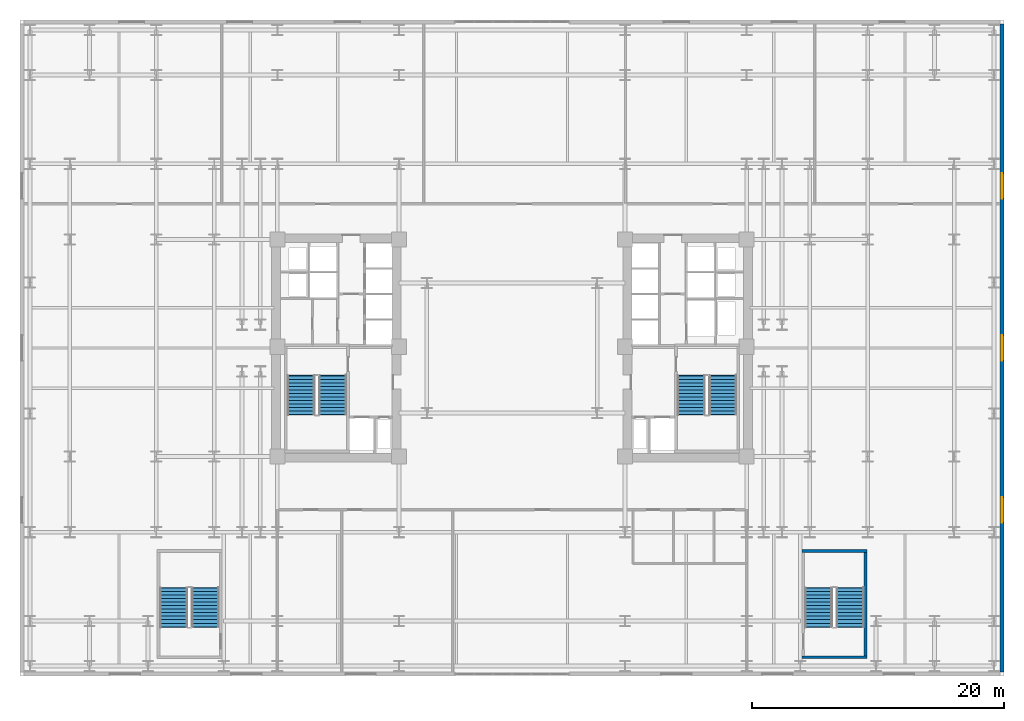
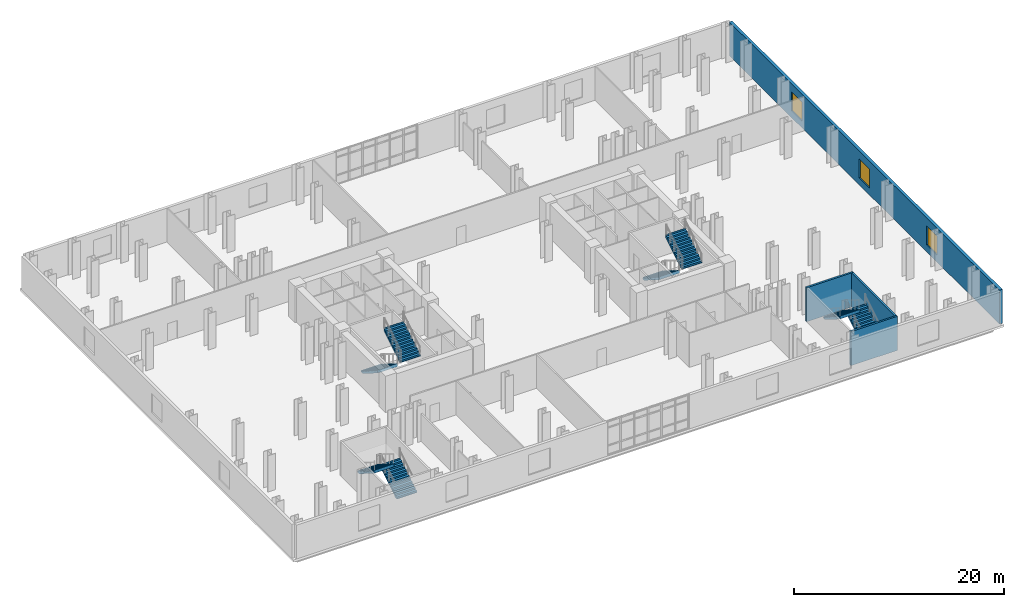
# One storey, part 11 of 13: 8 stair flights, 4 walls, 3 windows, 3 openings, 4 elements without a shape of their own.
"""IFC4 building model written with IfcOpenShell, lengths in metres."""

from ifc_helpers import new_model, si_unit, direction, frame, frame_2d, origin, place, context, subcontext, project, spatial, polyline, rectangle, outline, extrude, material, layer, layer_set, type_object, element, fill, aggregate, save


model = new_model("IFC4")

# Units and contexts
model_context = context("Model", 3, precision=1e-05, world=origin(), true_north=direction((0.0, 1.0)))
body_context = subcontext(model_context, "Body", "Model", "MODEL_VIEW")
ifc_project = project(units=[si_unit("LENGTHUNIT", "METRE"), si_unit("AREAUNIT", "SQUARE_METRE"), si_unit("VOLUMEUNIT", "CUBIC_METRE"), si_unit("PLANEANGLEUNIT", "RADIAN"), si_unit("MASSUNIT", "GRAM", prefix="KILO")], contexts=[model_context])

# Site, building, storey
site_placement = place(None, origin())
site = spatial("IfcSite", under=ifc_project, at=site_placement, CompositionType="ELEMENT")
building_placement = place(site_placement, origin())
building = spatial("IfcBuilding", under=site, at=building_placement, Name="Velakula Bourse", CompositionType="ELEMENT")
storey_placement = place(building_placement, frame((0.0, 0.0, 18.60009765625)))
storey = spatial("IfcBuildingStorey", under=building, at=storey_placement, Name="L04", CompositionType="ELEMENT", Elevation=18.60009765625)

# Walls
ifc_material_1 = material(Name="Concrete M50 (fck 50 MPa)", Category="concrete")
ifc_layer_1 = layer(ifc_material_1, 0.2099609375, Name="Concrete M50 (fck 50 MPa)", Category="concrete")
ifc_layer_set_1 = layer_set([ifc_layer_1], Name="Concrete M50 (fck 50 MPa)")
wall_type_1 = type_object("IfcWallType", Name="WL-CORE-210", PredefinedType="SHEAR", material=ifc_layer_set_1)
for number, where, z_axis, x_axis, name in (
    (1, (22.989990234375, -24.5048828125, 0.0), (0.0, 0.0, 1.0), (1.0, 0.0, 0.0), "L04 Podium Stair ST-P2 Shear Wall S"),
    (2, (22.989990234375, -16.094970703125, 0.0), (0.0, 0.0, 1.0), (1.0, 0.0, 0.0), "L04 Podium Stair ST-P2 Shear Wall N"),
):
    element("IfcWall", number, at=place(storey_placement, frame(where, z_axis=z_axis, x_axis=x_axis)), inside=storey, type_object=wall_type_1, Name=name, PredefinedType="SHEAR", context=body_context, shape_type="SweptSolid", body=[
        extrude(rectangle(XDim=5.139892578125, YDim=0.2099609375, at=frame_2d((2.56982421875, 0.0))), origin(), (0.0, 0.0, 1.0), 3.949951171875),
    ])
wall_1_placement = place(storey_placement, frame((28.02490234375, -24.39990234375, 0.0), z_axis=(0.0, 0.0, 1.0), x_axis=(0.0, 1.0, 0.0)))
element("IfcWall", 3, at=wall_1_placement, inside=storey, type_object=wall_type_1, Name="L04 Podium Stair ST-P2 Shear Wall E", PredefinedType="SHEAR", context=body_context, shape_type="SweptSolid", body=[
    extrude(rectangle(XDim=8.199951171875, YDim=0.2099609375, at=frame_2d((4.10009765625, 0.0))), origin(), (0.0, 0.0, 1.0), 3.949951171875),
])

# Wall, openings, windows
ifc_material_2 = material(Name="Red kilned clay facing brick masonry", Category="masonry")
ifc_layer_2 = layer(ifc_material_2, 0.320068359375, Name="Red kilned clay facing brick masonry", Category="masonry")
ifc_layer_set_2 = layer_set([ifc_layer_2], Name="Red kilned clay facing brick masonry")
wall_type_2 = type_object("IfcWallType", Name="WL-EXT-BRK-320", PredefinedType="STANDARD", material=ifc_layer_set_2)
wall_2_placement = place(storey_placement, frame((38.840087890625, 25.679931640625, 0.0), z_axis=(0.0, 0.0, 1.0), x_axis=(0.0, -1.0, 0.0)))
wall_2 = element("IfcWall", 4, at=wall_2_placement, inside=storey, type_object=wall_type_2, Name="L04 E Brick Facade Wall", PredefinedType="STANDARD", context=body_context, shape_type="SweptSolid", body=[
    extrude(rectangle(XDim=51.35986328125, YDim=0.320068359375, at=frame_2d((25.679931640625, 0.0))), origin(), (0.0, 0.0, 1.0), 3.929931640625),
])
opening_1_placement = place(wall_2_placement, frame((11.840087890625, 0.0, 0.800048828125)))
opening_1 = element("IfcOpeningElement", 5, at=opening_1_placement, cuts=wall_2, Name="Opening W-07", PredefinedType="OPENING", context=body_context, shape_type="SweptSolid", body=[
    extrude(rectangle(XDim=2.0, YDim=2.199951171875, at=frame_2d((1.0, 1.10009765625))), frame((0.0, 0.169921875, 0.0), z_axis=(0.0, -1.0, 0.0), x_axis=(1.0, 0.0, 0.0)), (0.0, 0.0, 1.0), 0.340087890625),
])
opening_2_placement = place(wall_2_placement, frame((24.679931640625, 0.0, 0.800048828125)))
opening_2 = element("IfcOpeningElement", 6, at=opening_2_placement, cuts=wall_2, Name="Opening W-07", PredefinedType="OPENING", context=body_context, shape_type="SweptSolid", body=[
    extrude(rectangle(XDim=2.0, YDim=2.199951171875, at=frame_2d((1.0, 1.10009765625))), frame((0.0, 0.169921875, 0.0), z_axis=(0.0, -1.0, 0.0), x_axis=(1.0, 0.0, 0.0)), (0.0, 0.0, 1.0), 0.340087890625),
])
opening_3_placement = place(wall_2_placement, frame((37.52001953125, 0.0, 0.800048828125)))
opening_3 = element("IfcOpeningElement", 7, at=opening_3_placement, cuts=wall_2, Name="Opening W-07", PredefinedType="OPENING", context=body_context, shape_type="SweptSolid", body=[
    extrude(rectangle(XDim=2.0, YDim=2.199951171875, at=frame_2d((1.0, 1.10009765625))), frame((0.0, 0.169921875, 0.0), z_axis=(0.0, -1.0, 0.0), x_axis=(1.0, 0.0, 0.0)), (0.0, 0.0, 1.0), 0.340087890625),
])
ifc_material_3 = material(Name="Double-glazed solar-control Low-E glass", Category="glass")
window_type = type_object("IfcWindowType", Name="WIN-POD-2000x2400", PartitioningType="DOUBLE_PANEL_VERTICAL", PredefinedType="WINDOW", material=ifc_material_3)
window_1_placement = place(opening_1_placement, origin())
window_1 = element("IfcWindow", 8, at=window_1_placement, inside=storey, type_object=window_type, Name="L04 Deep-Set Recessed Window 1", OverallHeight=2.199951171875, OverallWidth=2.0, PartitioningType="DOUBLE_PANEL_VERTICAL", PredefinedType="WINDOW", context=body_context, shape_type="SweptSolid", body=[
    extrude(rectangle(XDim=2.0, YDim=2.199951171875, at=frame_2d((1.0, 1.10009765625))), frame((0.0, 0.030029296875, 0.0), z_axis=(0.0, -1.0, 0.0), x_axis=(1.0, 0.0, 0.0)), (0.0, 0.0, 1.0), 0.06005859375),
])
fill(opening_1, window_1)
window_2_placement = place(opening_2_placement, origin())
window_2 = element("IfcWindow", 9, at=window_2_placement, inside=storey, type_object=window_type, Name="L04 Deep-Set Recessed Window 2", OverallHeight=2.199951171875, OverallWidth=2.0, PartitioningType="DOUBLE_PANEL_VERTICAL", PredefinedType="WINDOW", context=body_context, shape_type="SweptSolid", body=[
    extrude(rectangle(XDim=2.0, YDim=2.199951171875, at=frame_2d((1.0, 1.10009765625))), frame((0.0, 0.030029296875, 0.0), z_axis=(0.0, -1.0, 0.0), x_axis=(1.0, 0.0, 0.0)), (0.0, 0.0, 1.0), 0.06005859375),
])
fill(opening_2, window_2)
window_3_placement = place(opening_3_placement, origin())
window_3 = element("IfcWindow", 10, at=window_3_placement, inside=storey, type_object=window_type, Name="L04 Deep-Set Recessed Window 3", OverallHeight=2.199951171875, OverallWidth=2.0, PartitioningType="DOUBLE_PANEL_VERTICAL", PredefinedType="WINDOW", context=body_context, shape_type="SweptSolid", body=[
    extrude(rectangle(XDim=2.0, YDim=2.199951171875, at=frame_2d((1.0, 1.10009765625))), frame((0.0, 0.030029296875, 0.0), z_axis=(0.0, -1.0, 0.0), x_axis=(1.0, 0.0, 0.0)), (0.0, 0.0, 1.0), 0.06005859375),
])
fill(opening_3, window_3)

# Stair, stair flights
ifc_material_4 = material(Name="Concrete M45 (fck 45 MPa)", Category="concrete")
stair_type = type_object("IfcStairType", Name="STR-DOG-435", PredefinedType="HALF_TURN_STAIR", material=ifc_material_4)
stair_1_placement = place(storey_placement, origin())
stair_1 = element("IfcStair", 11, at=stair_1_placement, inside=storey, type_object=stair_type, Name="L04 West Core Exit Stair ST-W1", PredefinedType="HALF_TURN_STAIR")
ifc_layer_3 = layer(ifc_material_4, 0.199951171875, Name="Concrete M45 (fck 45 MPa)", Category="concrete")
ifc_layer_set_3 = layer_set([ifc_layer_3], Name="Concrete M45 (fck 45 MPa)")
stair_flight_type = type_object("IfcStairFlightType", Name="FLT-DOG-435", PredefinedType="STRAIGHT", material=ifc_layer_set_3)
stair_flight_1_placement = place(storey_placement, frame((-16.720947265625, -2.199951171875, 0.0), z_axis=(0.0, 0.0, 1.0), x_axis=(0.0, -1.0, 0.0)))
stair_flight_1 = element("IfcStairFlight", 12, at=stair_flight_1_placement, type_object=stair_flight_type, Name="ST-W1 flight 1", NumberOfRisers=12, NumberOfTreads=11, PredefinedType="STRAIGHT", RiserHeight=0.175, TreadLength=0.28, context=body_context, shape_type="SweptSolid", body=[
    extrude(outline(polyline([(-0.044921875, -0.0400390625), (-0.044921875, -0.036865234375), (-0.044921875, -0.033935546875), (-0.044921875, -0.03076171875), (-0.044921875, -0.027587890625), (-0.044921875, -0.024658203125), (-0.044921875, -0.021484375), (-0.044921875, -0.0185546875), (-0.044921875, -0.015380859375), (-0.044921875, -0.01220703125), (-0.044921875, -0.00927734375), (-0.044921875, -0.006103515625), (-0.044921875, -0.003173828125), (-0.044921875, 0.0), (0.0, 0.0), (0.0, 0.175048828125), (0.280029296875, 0.175048828125), (0.280029296875, 0.35009765625), (0.56005859375, 0.35009765625), (0.56005859375, 0.52490234375), (0.840087890625, 0.52490234375), (0.840087890625, 0.699951171875), (1.1201171875, 0.699951171875), (1.1201171875, 0.875), (1.39990234375, 0.875), (1.39990234375, 1.050048828125), (1.679931640625, 1.050048828125), (1.679931640625, 1.22509765625), (1.9599609375, 1.22509765625), (1.9599609375, 1.39990234375), (2.239990234375, 1.39990234375), (2.239990234375, 1.574951171875), (2.52001953125, 1.574951171875), (2.52001953125, 1.75), (2.800048828125, 1.75), (2.800048828125, 1.925048828125), (3.080078125, 1.925048828125), (3.080078125, 2.10009765625), (3.125, 2.10009765625), (3.125, 2.074951171875), (3.125, 2.0498046875), (3.125, 2.024658203125), (3.125, 1.99951171875), (3.125, 1.974365234375), (3.125, 1.94921875), (3.125, 1.924072265625), (3.125, 1.89892578125), (3.125, 1.873779296875), (3.125, 1.8486328125), (3.125, 1.823486328125), (3.125, 1.798583984375), (3.125, 1.7734375), (3.125, 1.748291015625), (0.28271484375, -0.0400390625), (-0.044921875, -0.0400390625)])), frame((0.0, 1.09912109375, 0.0), z_axis=(0.0, -1.0, 0.0), x_axis=(1.0, 0.0, 0.0)), (0.0, 0.0, 1.0), 2.197998046875),
])
stair_flight_2_placement = place(storey_placement, frame((-14.198974609375, -5.280029296875, 2.099853515625), z_axis=(0.0, 0.0, 1.0), x_axis=(0.0, 1.0, 0.0)))
stair_flight_2 = element("IfcStairFlight", 13, at=stair_flight_2_placement, type_object=stair_flight_type, Name="ST-W1 flight 2", NumberOfRisers=12, NumberOfTreads=11, PredefinedType="STRAIGHT", RiserHeight=0.175, TreadLength=0.28, context=body_context, shape_type="SweptSolid", body=[
    extrude(outline(polyline([(-0.044921875, -0.0400390625), (-0.044921875, -0.036865234375), (-0.044921875, -0.033935546875), (-0.044921875, -0.03076171875), (-0.044921875, -0.027587890625), (-0.044921875, -0.024658203125), (-0.044921875, -0.021484375), (-0.044921875, -0.0185546875), (-0.044921875, -0.015380859375), (-0.044921875, -0.01220703125), (-0.044921875, -0.00927734375), (-0.044921875, -0.006103515625), (-0.044921875, -0.003173828125), (-0.044921875, 0.0), (0.0, 0.0), (0.0, 0.175048828125), (0.280029296875, 0.175048828125), (0.280029296875, 0.35009765625), (0.56005859375, 0.35009765625), (0.56005859375, 0.52490234375), (0.840087890625, 0.52490234375), (0.840087890625, 0.699951171875), (1.1201171875, 0.699951171875), (1.1201171875, 0.875), (1.39990234375, 0.875), (1.39990234375, 1.050048828125), (1.679931640625, 1.050048828125), (1.679931640625, 1.22509765625), (1.9599609375, 1.22509765625), (1.9599609375, 1.39990234375), (2.239990234375, 1.39990234375), (2.239990234375, 1.574951171875), (2.52001953125, 1.574951171875), (2.52001953125, 1.75), (2.800048828125, 1.75), (2.800048828125, 1.925048828125), (3.080078125, 1.925048828125), (3.080078125, 2.10009765625), (3.125, 2.10009765625), (3.125, 2.074951171875), (3.125, 2.0498046875), (3.125, 2.024658203125), (3.125, 1.99951171875), (3.125, 1.974365234375), (3.125, 1.94921875), (3.125, 1.924072265625), (3.125, 1.89892578125), (3.125, 1.873779296875), (3.125, 1.8486328125), (3.125, 1.823486328125), (3.125, 1.798583984375), (3.125, 1.7734375), (3.125, 1.748291015625), (0.28271484375, -0.0400390625), (-0.044921875, -0.0400390625)])), frame((0.0, 1.09912109375, 0.0), z_axis=(0.0, -1.0, 0.0), x_axis=(1.0, 0.0, 0.0)), (0.0, 0.0, 1.0), 2.197998046875),
])
aggregate(stair_1, [stair_flight_1, stair_flight_2])

stair_2_placement = place(storey_placement, origin())
stair_2 = element("IfcStair", 14, at=stair_2_placement, inside=storey, type_object=stair_type, Name="L04 East Core Exit Stair ST-E1", PredefinedType="HALF_TURN_STAIR")
stair_flight_3_placement = place(storey_placement, frame((14.198974609375, -2.199951171875, 0.0), z_axis=(0.0, 0.0, 1.0), x_axis=(0.0, -1.0, 0.0)))
stair_flight_3 = element("IfcStairFlight", 15, at=stair_flight_3_placement, type_object=stair_flight_type, Name="ST-E1 flight 1", NumberOfRisers=12, NumberOfTreads=11, PredefinedType="STRAIGHT", RiserHeight=0.175, TreadLength=0.28, context=body_context, shape_type="SweptSolid", body=[
    extrude(outline(polyline([(-0.044921875, -0.0400390625), (-0.044921875, -0.036865234375), (-0.044921875, -0.033935546875), (-0.044921875, -0.03076171875), (-0.044921875, -0.027587890625), (-0.044921875, -0.024658203125), (-0.044921875, -0.021484375), (-0.044921875, -0.0185546875), (-0.044921875, -0.015380859375), (-0.044921875, -0.01220703125), (-0.044921875, -0.00927734375), (-0.044921875, -0.006103515625), (-0.044921875, -0.003173828125), (-0.044921875, 0.0), (0.0, 0.0), (0.0, 0.175048828125), (0.280029296875, 0.175048828125), (0.280029296875, 0.35009765625), (0.56005859375, 0.35009765625), (0.56005859375, 0.52490234375), (0.840087890625, 0.52490234375), (0.840087890625, 0.699951171875), (1.1201171875, 0.699951171875), (1.1201171875, 0.875), (1.39990234375, 0.875), (1.39990234375, 1.050048828125), (1.679931640625, 1.050048828125), (1.679931640625, 1.22509765625), (1.9599609375, 1.22509765625), (1.9599609375, 1.39990234375), (2.239990234375, 1.39990234375), (2.239990234375, 1.574951171875), (2.52001953125, 1.574951171875), (2.52001953125, 1.75), (2.800048828125, 1.75), (2.800048828125, 1.925048828125), (3.080078125, 1.925048828125), (3.080078125, 2.10009765625), (3.125, 2.10009765625), (3.125, 2.074951171875), (3.125, 2.0498046875), (3.125, 2.024658203125), (3.125, 1.99951171875), (3.125, 1.974365234375), (3.125, 1.94921875), (3.125, 1.924072265625), (3.125, 1.89892578125), (3.125, 1.873779296875), (3.125, 1.8486328125), (3.125, 1.823486328125), (3.125, 1.798583984375), (3.125, 1.7734375), (3.125, 1.748291015625), (0.28271484375, -0.0400390625), (-0.044921875, -0.0400390625)])), frame((0.0, 1.09912109375, 0.0), z_axis=(0.0, -1.0, 0.0), x_axis=(1.0, 0.0, 0.0)), (0.0, 0.0, 1.0), 2.197998046875),
])
stair_flight_4_placement = place(storey_placement, frame((16.720947265625, -5.280029296875, 2.099853515625), z_axis=(0.0, 0.0, 1.0), x_axis=(0.0, 1.0, 0.0)))
stair_flight_4 = element("IfcStairFlight", 16, at=stair_flight_4_placement, type_object=stair_flight_type, Name="ST-E1 flight 2", NumberOfRisers=12, NumberOfTreads=11, PredefinedType="STRAIGHT", RiserHeight=0.175, TreadLength=0.28, context=body_context, shape_type="SweptSolid", body=[
    extrude(outline(polyline([(-0.044921875, -0.0400390625), (-0.044921875, -0.036865234375), (-0.044921875, -0.033935546875), (-0.044921875, -0.03076171875), (-0.044921875, -0.027587890625), (-0.044921875, -0.024658203125), (-0.044921875, -0.021484375), (-0.044921875, -0.0185546875), (-0.044921875, -0.015380859375), (-0.044921875, -0.01220703125), (-0.044921875, -0.00927734375), (-0.044921875, -0.006103515625), (-0.044921875, -0.003173828125), (-0.044921875, 0.0), (0.0, 0.0), (0.0, 0.175048828125), (0.280029296875, 0.175048828125), (0.280029296875, 0.35009765625), (0.56005859375, 0.35009765625), (0.56005859375, 0.52490234375), (0.840087890625, 0.52490234375), (0.840087890625, 0.699951171875), (1.1201171875, 0.699951171875), (1.1201171875, 0.875), (1.39990234375, 0.875), (1.39990234375, 1.050048828125), (1.679931640625, 1.050048828125), (1.679931640625, 1.22509765625), (1.9599609375, 1.22509765625), (1.9599609375, 1.39990234375), (2.239990234375, 1.39990234375), (2.239990234375, 1.574951171875), (2.52001953125, 1.574951171875), (2.52001953125, 1.75), (2.800048828125, 1.75), (2.800048828125, 1.925048828125), (3.080078125, 1.925048828125), (3.080078125, 2.10009765625), (3.125, 2.10009765625), (3.125, 2.074951171875), (3.125, 2.0498046875), (3.125, 2.024658203125), (3.125, 1.99951171875), (3.125, 1.974365234375), (3.125, 1.94921875), (3.125, 1.924072265625), (3.125, 1.89892578125), (3.125, 1.873779296875), (3.125, 1.8486328125), (3.125, 1.823486328125), (3.125, 1.798583984375), (3.125, 1.7734375), (3.125, 1.748291015625), (0.28271484375, -0.0400390625), (-0.044921875, -0.0400390625)])), frame((0.0, 1.09912109375, 0.0), z_axis=(0.0, -1.0, 0.0), x_axis=(1.0, 0.0, 0.0)), (0.0, 0.0, 1.0), 2.197998046875),
])
aggregate(stair_2, [stair_flight_3, stair_flight_4])

stair_3_placement = place(storey_placement, origin())
stair_3 = element("IfcStair", 17, at=stair_3_placement, inside=storey, type_object=stair_type, Name="L04 West Podium Exit Stair ST-P1", PredefinedType="HALF_TURN_STAIR")
stair_flight_5_placement = place(storey_placement, frame((-24.299072265625, -22.10009765625, 0.0), z_axis=(0.0, 0.0, 1.0), x_axis=(0.0, 1.0, 0.0)))
stair_flight_5 = element("IfcStairFlight", 18, at=stair_flight_5_placement, type_object=stair_flight_type, Name="ST-P1 flight 1", NumberOfRisers=12, NumberOfTreads=11, PredefinedType="STRAIGHT", RiserHeight=0.175, TreadLength=0.28, context=body_context, shape_type="SweptSolid", body=[
    extrude(outline(polyline([(-0.044921875, -0.0400390625), (-0.044921875, -0.036865234375), (-0.044921875, -0.033935546875), (-0.044921875, -0.03076171875), (-0.044921875, -0.027587890625), (-0.044921875, -0.024658203125), (-0.044921875, -0.021484375), (-0.044921875, -0.0185546875), (-0.044921875, -0.015380859375), (-0.044921875, -0.01220703125), (-0.044921875, -0.00927734375), (-0.044921875, -0.006103515625), (-0.044921875, -0.003173828125), (-0.044921875, 0.0), (0.0, 0.0), (0.0, 0.175048828125), (0.280029296875, 0.175048828125), (0.280029296875, 0.35009765625), (0.56005859375, 0.35009765625), (0.56005859375, 0.52490234375), (0.840087890625, 0.52490234375), (0.840087890625, 0.699951171875), (1.1201171875, 0.699951171875), (1.1201171875, 0.875), (1.39990234375, 0.875), (1.39990234375, 1.050048828125), (1.679931640625, 1.050048828125), (1.679931640625, 1.22509765625), (1.9599609375, 1.22509765625), (1.9599609375, 1.39990234375), (2.239990234375, 1.39990234375), (2.239990234375, 1.574951171875), (2.52001953125, 1.574951171875), (2.52001953125, 1.75), (2.800048828125, 1.75), (2.800048828125, 1.925048828125), (3.080078125, 1.925048828125), (3.080078125, 2.10009765625), (3.125, 2.10009765625), (3.125, 2.074951171875), (3.125, 2.0498046875), (3.125, 2.024658203125), (3.125, 1.99951171875), (3.125, 1.974365234375), (3.125, 1.94921875), (3.125, 1.924072265625), (3.125, 1.89892578125), (3.125, 1.873779296875), (3.125, 1.8486328125), (3.125, 1.823486328125), (3.125, 1.798583984375), (3.125, 1.7734375), (3.125, 1.748291015625), (0.28271484375, -0.0400390625), (-0.044921875, -0.0400390625)])), frame((0.0, 1.09912109375, 0.0), z_axis=(0.0, -1.0, 0.0), x_axis=(1.0, 0.0, 0.0)), (0.0, 0.0, 1.0), 2.197998046875),
])
stair_flight_6_placement = place(storey_placement, frame((-26.821044921875, -19.02001953125, 2.099853515625), z_axis=(0.0, 0.0, 1.0), x_axis=(0.0, -1.0, 0.0)))
stair_flight_6 = element("IfcStairFlight", 19, at=stair_flight_6_placement, type_object=stair_flight_type, Name="ST-P1 flight 2", NumberOfRisers=12, NumberOfTreads=11, PredefinedType="STRAIGHT", RiserHeight=0.175, TreadLength=0.28, context=body_context, shape_type="SweptSolid", body=[
    extrude(outline(polyline([(-0.044921875, -0.0400390625), (-0.044921875, -0.036865234375), (-0.044921875, -0.033935546875), (-0.044921875, -0.03076171875), (-0.044921875, -0.027587890625), (-0.044921875, -0.024658203125), (-0.044921875, -0.021484375), (-0.044921875, -0.0185546875), (-0.044921875, -0.015380859375), (-0.044921875, -0.01220703125), (-0.044921875, -0.00927734375), (-0.044921875, -0.006103515625), (-0.044921875, -0.003173828125), (-0.044921875, 0.0), (0.0, 0.0), (0.0, 0.175048828125), (0.280029296875, 0.175048828125), (0.280029296875, 0.35009765625), (0.56005859375, 0.35009765625), (0.56005859375, 0.52490234375), (0.840087890625, 0.52490234375), (0.840087890625, 0.699951171875), (1.1201171875, 0.699951171875), (1.1201171875, 0.875), (1.39990234375, 0.875), (1.39990234375, 1.050048828125), (1.679931640625, 1.050048828125), (1.679931640625, 1.22509765625), (1.9599609375, 1.22509765625), (1.9599609375, 1.39990234375), (2.239990234375, 1.39990234375), (2.239990234375, 1.574951171875), (2.52001953125, 1.574951171875), (2.52001953125, 1.75), (2.800048828125, 1.75), (2.800048828125, 1.925048828125), (3.080078125, 1.925048828125), (3.080078125, 2.10009765625), (3.125, 2.10009765625), (3.125, 2.074951171875), (3.125, 2.0498046875), (3.125, 2.024658203125), (3.125, 1.99951171875), (3.125, 1.974365234375), (3.125, 1.94921875), (3.125, 1.924072265625), (3.125, 1.89892578125), (3.125, 1.873779296875), (3.125, 1.8486328125), (3.125, 1.823486328125), (3.125, 1.798583984375), (3.125, 1.7734375), (3.125, 1.748291015625), (0.28271484375, -0.0400390625), (-0.044921875, -0.0400390625)])), frame((0.0, 1.09912109375, 0.0), z_axis=(0.0, -1.0, 0.0), x_axis=(1.0, 0.0, 0.0)), (0.0, 0.0, 1.0), 2.197998046875),
])
aggregate(stair_3, [stair_flight_5, stair_flight_6])

stair_4_placement = place(storey_placement, origin())
stair_4 = element("IfcStair", 20, at=stair_4_placement, inside=storey, type_object=stair_type, Name="L04 East Podium Exit Stair ST-P2", PredefinedType="HALF_TURN_STAIR")
stair_flight_7_placement = place(storey_placement, frame((26.821044921875, -22.10009765625, 0.0), z_axis=(0.0, 0.0, 1.0), x_axis=(0.0, 1.0, 0.0)))
stair_flight_7 = element("IfcStairFlight", 21, at=stair_flight_7_placement, type_object=stair_flight_type, Name="ST-P2 flight 1", NumberOfRisers=12, NumberOfTreads=11, PredefinedType="STRAIGHT", RiserHeight=0.175, TreadLength=0.28, context=body_context, shape_type="SweptSolid", body=[
    extrude(outline(polyline([(-0.044921875, -0.0400390625), (-0.044921875, -0.036865234375), (-0.044921875, -0.033935546875), (-0.044921875, -0.03076171875), (-0.044921875, -0.027587890625), (-0.044921875, -0.024658203125), (-0.044921875, -0.021484375), (-0.044921875, -0.0185546875), (-0.044921875, -0.015380859375), (-0.044921875, -0.01220703125), (-0.044921875, -0.00927734375), (-0.044921875, -0.006103515625), (-0.044921875, -0.003173828125), (-0.044921875, 0.0), (0.0, 0.0), (0.0, 0.175048828125), (0.280029296875, 0.175048828125), (0.280029296875, 0.35009765625), (0.56005859375, 0.35009765625), (0.56005859375, 0.52490234375), (0.840087890625, 0.52490234375), (0.840087890625, 0.699951171875), (1.1201171875, 0.699951171875), (1.1201171875, 0.875), (1.39990234375, 0.875), (1.39990234375, 1.050048828125), (1.679931640625, 1.050048828125), (1.679931640625, 1.22509765625), (1.9599609375, 1.22509765625), (1.9599609375, 1.39990234375), (2.239990234375, 1.39990234375), (2.239990234375, 1.574951171875), (2.52001953125, 1.574951171875), (2.52001953125, 1.75), (2.800048828125, 1.75), (2.800048828125, 1.925048828125), (3.080078125, 1.925048828125), (3.080078125, 2.10009765625), (3.125, 2.10009765625), (3.125, 2.074951171875), (3.125, 2.0498046875), (3.125, 2.024658203125), (3.125, 1.99951171875), (3.125, 1.974365234375), (3.125, 1.94921875), (3.125, 1.924072265625), (3.125, 1.89892578125), (3.125, 1.873779296875), (3.125, 1.8486328125), (3.125, 1.823486328125), (3.125, 1.798583984375), (3.125, 1.7734375), (3.125, 1.748291015625), (0.28271484375, -0.0400390625), (-0.044921875, -0.0400390625)])), frame((0.0, 1.09912109375, 0.0), z_axis=(0.0, -1.0, 0.0), x_axis=(1.0, 0.0, 0.0)), (0.0, 0.0, 1.0), 2.197998046875),
])
stair_flight_8_placement = place(storey_placement, frame((24.299072265625, -19.02001953125, 2.099853515625), z_axis=(0.0, 0.0, 1.0), x_axis=(0.0, -1.0, 0.0)))
stair_flight_8 = element("IfcStairFlight", 22, at=stair_flight_8_placement, type_object=stair_flight_type, Name="ST-P2 flight 2", NumberOfRisers=12, NumberOfTreads=11, PredefinedType="STRAIGHT", RiserHeight=0.175, TreadLength=0.28, context=body_context, shape_type="SweptSolid", body=[
    extrude(outline(polyline([(-0.044921875, -0.0400390625), (-0.044921875, -0.036865234375), (-0.044921875, -0.033935546875), (-0.044921875, -0.03076171875), (-0.044921875, -0.027587890625), (-0.044921875, -0.024658203125), (-0.044921875, -0.021484375), (-0.044921875, -0.0185546875), (-0.044921875, -0.015380859375), (-0.044921875, -0.01220703125), (-0.044921875, -0.00927734375), (-0.044921875, -0.006103515625), (-0.044921875, -0.003173828125), (-0.044921875, 0.0), (0.0, 0.0), (0.0, 0.175048828125), (0.280029296875, 0.175048828125), (0.280029296875, 0.35009765625), (0.56005859375, 0.35009765625), (0.56005859375, 0.52490234375), (0.840087890625, 0.52490234375), (0.840087890625, 0.699951171875), (1.1201171875, 0.699951171875), (1.1201171875, 0.875), (1.39990234375, 0.875), (1.39990234375, 1.050048828125), (1.679931640625, 1.050048828125), (1.679931640625, 1.22509765625), (1.9599609375, 1.22509765625), (1.9599609375, 1.39990234375), (2.239990234375, 1.39990234375), (2.239990234375, 1.574951171875), (2.52001953125, 1.574951171875), (2.52001953125, 1.75), (2.800048828125, 1.75), (2.800048828125, 1.925048828125), (3.080078125, 1.925048828125), (3.080078125, 2.10009765625), (3.125, 2.10009765625), (3.125, 2.074951171875), (3.125, 2.0498046875), (3.125, 2.024658203125), (3.125, 1.99951171875), (3.125, 1.974365234375), (3.125, 1.94921875), (3.125, 1.924072265625), (3.125, 1.89892578125), (3.125, 1.873779296875), (3.125, 1.8486328125), (3.125, 1.823486328125), (3.125, 1.798583984375), (3.125, 1.7734375), (3.125, 1.748291015625), (0.28271484375, -0.0400390625), (-0.044921875, -0.0400390625)])), frame((0.0, 1.09912109375, 0.0), z_axis=(0.0, -1.0, 0.0), x_axis=(1.0, 0.0, 0.0)), (0.0, 0.0, 1.0), 2.197998046875),
])
aggregate(stair_4, [stair_flight_7, stair_flight_8])

save(model, "model.ifc")
